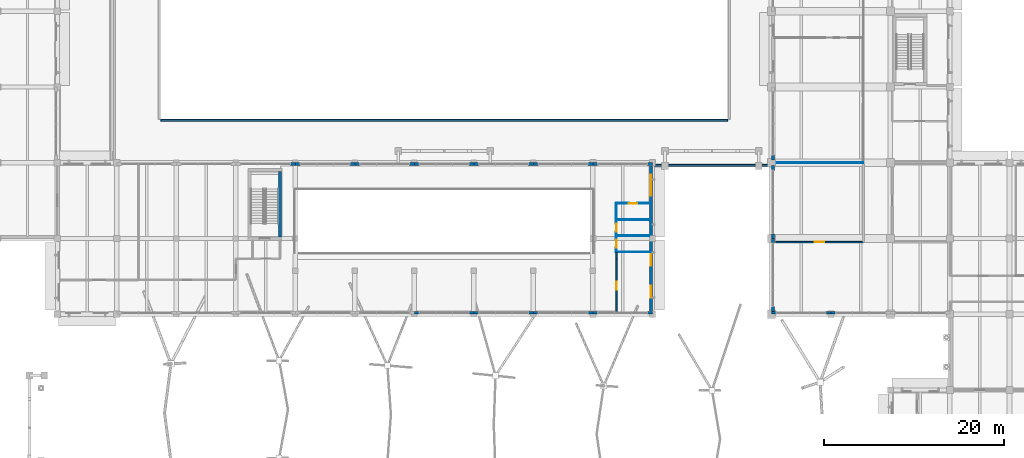
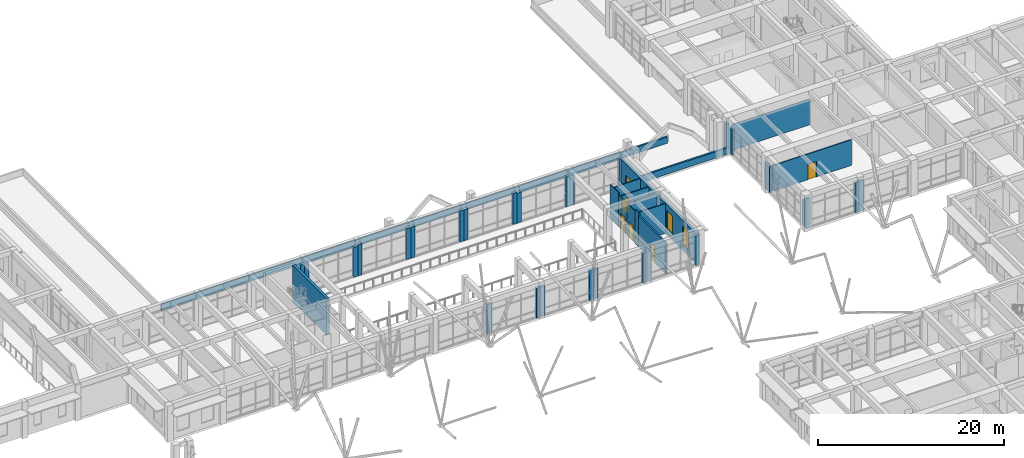
# One storey, part 49 of 75: 45 walls, 5 doors, 3 windows, 8 openings.
"""IFC4 building model written with IfcOpenShell, lengths in metres."""

from ifc_helpers import new_model, si_unit, direction, frame, frame_2d, origin, place, context, subcontext, project, spatial, rectangle, extrude, material, layer, layer_set, type_object, element, fill, save


model = new_model("IFC4")

# Units and contexts
model_context = context("Model", 3, precision=1e-05, world=origin(), true_north=direction((0.0, 1.0)))
body_context = subcontext(model_context, "Body", "Model", "MODEL_VIEW")
ifc_project = project(units=[si_unit("LENGTHUNIT", "METRE"), si_unit("AREAUNIT", "SQUARE_METRE"), si_unit("VOLUMEUNIT", "CUBIC_METRE"), si_unit("PLANEANGLEUNIT", "RADIAN"), si_unit("MASSUNIT", "GRAM", prefix="KILO")], contexts=[model_context])

# Site, building, storey
site_placement = place(None, origin())
site = spatial("IfcSite", under=ifc_project, at=site_placement, CompositionType="ELEMENT")
building_placement = place(site_placement, origin())
building = spatial("IfcBuilding", under=site, at=building_placement, Name="Kolvaren Faculty of Natural Sciences", CompositionType="ELEMENT")
storey_placement = place(building_placement, frame((0.0, 0.0, 5.39990234375)))
storey = spatial("IfcBuildingStorey", under=building, at=storey_placement, Name="L01", CompositionType="ELEMENT", Elevation=5.39990234375)

# Walls
ifc_material_1 = material(Name="Concrete C40/50", Category="concrete")
ifc_layer_1 = layer(ifc_material_1, 0.35009765625)
ifc_layer_set_1 = layer_set([ifc_layer_1], Name="Concrete C40/50")
wall_type_1 = type_object("IfcWallType", Name="CoreShearWall_350", PredefinedType="SHEAR", material=ifc_layer_set_1)
wall_1_placement = place(storey_placement, frame((64.5, 75.949951171875, 0.0), z_axis=(0.0, 0.0, 1.0), x_axis=(0.0, 1.0, 0.0)))
element("IfcWall", 1, at=wall_1_placement, inside=storey, type_object=wall_type_1, Name="L01 CORE-C6 stair shear wall E", PredefinedType="SHEAR", context=body_context, shape_type="SweptSolid", body=[
    extrude(rectangle(XDim=7.275146484375, YDim=0.35009765625, at=frame_2d((3.6376953125, 0.0))), origin(), (0.0, 0.0, 1.0), 4.800048828125),
])
ifc_material_2 = material(Name="Sandstone-faced insulated cavity masonry", Category="masonry")
ifc_layer_2 = layer(ifc_material_2, 0.320068359375)
ifc_layer_set_2 = layer_set([ifc_layer_2], Name="Sandstone-faced insulated cavity masonry")
wall_type_2 = type_object("IfcWallType", Name="ExteriorCavityWall_320", PredefinedType="STANDARD", material=ifc_layer_set_2)
for number, where, z_axis, x_axis, name in (
    (2, (126.1201171875, 67.56005859375, 0.0), (0.0, 0.0, 1.0), (-1.0, 0.0, 0.0), "L01 curtain-wall pier stub 190"),
    (3, (125.60009765625, 67.56005859375, 0.0), (0.0, 0.0, 1.0), (-1.0, 0.0, 0.0), "L01 curtain-wall pier stub 191"),
    (4, (119.52001953125, 67.56005859375, 0.0), (0.0, 0.0, 1.0), (-1.0, 0.0, 0.0), "L01 curtain-wall pier stub 192"),
):
    element("IfcWall", number, at=place(storey_placement, frame(where, z_axis=z_axis, x_axis=x_axis)), inside=storey, type_object=wall_type_2, Name=name, PredefinedType="STANDARD", context=body_context, shape_type="SweptSolid", body=[
        extrude(rectangle(XDim=0.52001953125, YDim=0.320068359375, at=frame_2d((0.260009765625, 0.0))), origin(), (0.0, 0.0, 1.0), 3.93505859375),
    ])
for number, where, z_axis, x_axis, name in (
    (5, (119.159912109375, 67.719970703125, 0.0), (0.0, 0.0, 1.0), (0.0, 1.0, 0.0), "L01 curtain-wall pier stub 193"),
    (6, (119.159912109375, 75.280029296875, 0.0), (0.0, 0.0, 1.0), (0.0, 1.0, 0.0), "L01 curtain-wall pier stub 194"),
    (7, (119.159912109375, 75.800048828125, 0.0), (0.0, 0.0, 1.0), (0.0, 1.0, 0.0), "L01 curtain-wall pier stub 195"),
):
    element("IfcWall", number, at=place(storey_placement, frame(where, z_axis=z_axis, x_axis=x_axis)), inside=storey, type_object=wall_type_2, Name=name, PredefinedType="STANDARD", context=body_context, shape_type="SweptSolid", body=[
        extrude(rectangle(XDim=0.52001953125, YDim=0.320068359375, at=frame_2d((0.260009765625, 0.0))), origin(), (0.0, 0.0, 1.0), 3.385009765625),
    ])
wall_2_placement = place(storey_placement, frame((119.159912109375, 83.360107421875, 0.0), z_axis=(0.0, 0.0, 1.0), x_axis=(0.0, 1.0, 0.0)))
element("IfcWall", 8, at=wall_2_placement, inside=storey, type_object=wall_type_2, Name="L01 curtain-wall pier stub 196", PredefinedType="STANDARD", context=body_context, shape_type="SweptSolid", body=[
    extrude(rectangle(XDim=0.519775390625, YDim=0.320068359375, at=frame_2d((0.259765625, 0.0))), origin(), (0.0, 0.0, 1.0), 3.385009765625),
])
wall_3_placement = place(storey_placement, frame((119.159912109375, 84.52001953125, 0.0), z_axis=(0.0, 0.0, 1.0), x_axis=(0.0, 1.0, 0.0)))
element("IfcWall", 9, at=wall_3_placement, inside=storey, type_object=wall_type_2, Name="L01 curtain-wall pier stub 197", PredefinedType="STANDARD", context=body_context, shape_type="SweptSolid", body=[
    extrude(rectangle(XDim=0.52001953125, YDim=0.320068359375, at=frame_2d((0.260009765625, 0.0))), origin(), (0.0, 0.0, 1.0), 3.385009765625),
])
for number, where, z_axis, x_axis, name in (
    (10, (65.679931640625, 84.0400390625, 0.0), (0.0, 0.0, 1.0), (1.0, 0.0, 0.0), "L01 curtain-wall pier stub 279"),
    (11, (66.199951171875, 84.0400390625, 0.0), (0.0, 0.0, 1.0), (1.0, 0.0, 0.0), "L01 curtain-wall pier stub 280"),
    (12, (72.280029296875, 84.0400390625, 0.0), (0.0, 0.0, 1.0), (1.0, 0.0, 0.0), "L01 curtain-wall pier stub 281"),
):
    element("IfcWall", number, at=place(storey_placement, frame(where, z_axis=z_axis, x_axis=x_axis)), inside=storey, type_object=wall_type_2, Name=name, PredefinedType="STANDARD", context=body_context, shape_type="SweptSolid", body=[
        extrude(rectangle(XDim=0.52001953125, YDim=0.320068359375, at=frame_2d((0.260009765625, 0.0))), origin(), (0.0, 0.0, 1.0), 3.93505859375),
    ])
for number, where, z_axis, x_axis, name in (
    (13, (72.800048828125, 84.0400390625, 0.0), (0.0, 0.0, 1.0), (1.0, 0.0, 0.0), "L01 curtain-wall pier stub 282"),
    (14, (78.8798828125, 84.0400390625, 0.0), (0.0, 0.0, 1.0), (1.0, 0.0, 0.0), "L01 curtain-wall pier stub 283"),
    (15, (79.39990234375, 84.0400390625, 0.0), (0.0, 0.0, 1.0), (1.0, 0.0, 0.0), "L01 curtain-wall pier stub 284"),
    (16, (85.47998046875, 84.0400390625, 0.0), (0.0, 0.0, 1.0), (1.0, 0.0, 0.0), "L01 curtain-wall pier stub 285"),
    (17, (86.0, 84.0400390625, 0.0), (0.0, 0.0, 1.0), (1.0, 0.0, 0.0), "L01 curtain-wall pier stub 286"),
    (18, (92.080078125, 84.0400390625, 0.0), (0.0, 0.0, 1.0), (1.0, 0.0, 0.0), "L01 curtain-wall pier stub 287"),
):
    element("IfcWall", number, at=place(storey_placement, frame(where, z_axis=z_axis, x_axis=x_axis)), inside=storey, type_object=wall_type_2, Name=name, PredefinedType="STANDARD", context=body_context, shape_type="SweptSolid", body=[
        extrude(rectangle(XDim=0.52001953125, YDim=0.320068359375, at=frame_2d((0.260009765625, 0.0))), origin(), (0.0, 0.0, 1.0), 4.085205078125),
    ])
for number, where, z_axis, x_axis, name in (
    (19, (92.60009765625, 84.0400390625, 0.0), (0.0, 0.0, 1.0), (1.0, 0.0, 0.0), "L01 curtain-wall pier stub 288"),
    (20, (98.679931640625, 84.0400390625, 0.0), (0.0, 0.0, 1.0), (1.0, 0.0, 0.0), "L01 curtain-wall pier stub 289"),
    (21, (99.199951171875, 84.0400390625, 0.0), (0.0, 0.0, 1.0), (1.0, 0.0, 0.0), "L01 curtain-wall pier stub 290"),
    (22, (105.280029296875, 84.0400390625, 0.0), (0.0, 0.0, 1.0), (1.0, 0.0, 0.0), "L01 curtain-wall pier stub 291"),
):
    element("IfcWall", number, at=place(storey_placement, frame(where, z_axis=z_axis, x_axis=x_axis)), inside=storey, type_object=wall_type_2, Name=name, PredefinedType="STANDARD", context=body_context, shape_type="SweptSolid", body=[
        extrude(rectangle(XDim=0.52001953125, YDim=0.320068359375, at=frame_2d((0.260009765625, 0.0))), origin(), (0.0, 0.0, 1.0), 3.93505859375),
    ])

# Wall, opening, window
wall_4_placement = place(storey_placement, frame((105.639892578125, 83.8798828125, 0.0), z_axis=(0.0, 0.0, 1.0), x_axis=(0.0, -1.0, 0.0)))
wall_4 = element("IfcWall", 23, at=wall_4_placement, inside=storey, type_object=wall_type_2, Name="L01 exterior masonry wall EW-320 (292)", PredefinedType="STANDARD", context=body_context, shape_type="SweptSolid", body=[
    extrude(rectangle(XDim=8.079833984375, YDim=0.320068359375, at=frame_2d((4.0400390625, 0.0))), origin(), (0.0, 0.0, 1.0), 3.93505859375),
])
opening_1_placement = place(wall_4_placement, frame((1.006591796875, 0.0, 0.89990234375)))
opening_1 = element("IfcOpeningElement", 24, at=opening_1_placement, cuts=wall_4, Name="Opening WIN-18", PredefinedType="OPENING", context=body_context, shape_type="SweptSolid", body=[
    extrude(rectangle(XDim=2.35009765625, YDim=1.5, at=frame_2d((1.175048828125, 0.75))), frame((0.0, 0.169921875, 0.0), z_axis=(0.0, -1.0, 0.0), x_axis=(1.0, 0.0, 0.0)), (0.0, 0.0, 1.0), 0.340087890625),
])
ifc_material_3 = material(Name="Double low-E solar control insulated glazing", Category="glass")
window_type_1 = type_object("IfcWindowType", Name="AluWindow_WIN18_2350x1500", PartitioningType="SINGLE_PANEL", PredefinedType="WINDOW", material=ifc_material_3)
window_1_placement = place(opening_1_placement, origin())
window_1 = element("IfcWindow", 25, at=window_1_placement, inside=storey, type_object=window_type_1, Name="WIN-L01-0240", OverallHeight=1.5, OverallWidth=2.35009765625, PartitioningType="SINGLE_PANEL", PredefinedType="WINDOW", context=body_context, shape_type="SweptSolid", body=[
    extrude(rectangle(XDim=2.35009765625, YDim=1.5, at=frame_2d((1.175048828125, 0.75))), frame((0.0, 0.030029296875, 0.0), z_axis=(0.0, -1.0, 0.0), x_axis=(1.0, 0.0, 0.0)), (0.0, 0.0, 1.0), 0.06005859375),
])
fill(opening_1, window_1)

# Wall, openings, windows
wall_5_placement = place(storey_placement, frame((105.639892578125, 75.800048828125, 0.0), z_axis=(0.0, 0.0, 1.0), x_axis=(0.0, -1.0, 0.0)))
wall_5 = element("IfcWall", 26, at=wall_5_placement, inside=storey, type_object=wall_type_2, Name="L01 exterior masonry wall EW-320 (293)", PredefinedType="STANDARD", context=body_context, shape_type="SweptSolid", body=[
    extrude(rectangle(XDim=8.080078125, YDim=0.320068359375, at=frame_2d((4.0400390625, 0.0))), origin(), (0.0, 0.0, 1.0), 3.93505859375),
])
opening_2_placement = place(wall_5_placement, frame((1.739990234375, 0.0, 0.75)))
opening_2 = element("IfcOpeningElement", 27, at=opening_2_placement, cuts=wall_5, Name="Opening WIN-19", PredefinedType="OPENING", context=body_context, shape_type="SweptSolid", body=[
    extrude(rectangle(XDim=1.300048828125, YDim=2.39990234375, at=frame_2d((0.64990234375, 1.199951171875))), frame((0.0, 0.169921875, 0.0), z_axis=(0.0, -1.0, 0.0), x_axis=(1.0, 0.0, 0.0)), (0.0, 0.0, 1.0), 0.340087890625),
])
opening_3_placement = place(wall_5_placement, frame((5.248291015625, 0.0, 0.75)))
opening_3 = element("IfcOpeningElement", 28, at=opening_3_placement, cuts=wall_5, Name="Opening WIN-19", PredefinedType="OPENING", context=body_context, shape_type="SweptSolid", body=[
    extrude(rectangle(XDim=1.300048828125, YDim=2.39990234375, at=frame_2d((0.64990234375, 1.199951171875))), frame((0.0, 0.169921875, 0.0), z_axis=(0.0, -1.0, 0.0), x_axis=(1.0, 0.0, 0.0)), (0.0, 0.0, 1.0), 0.340087890625),
])
window_type_2 = type_object("IfcWindowType", Name="AluWindow_WIN19_1300x2400", PartitioningType="SINGLE_PANEL", PredefinedType="WINDOW", material=ifc_material_3)
window_2_placement = place(opening_2_placement, origin())
window_2 = element("IfcWindow", 29, at=window_2_placement, inside=storey, type_object=window_type_2, Name="WIN-L01-0241", OverallHeight=2.39990234375, OverallWidth=1.300048828125, PartitioningType="SINGLE_PANEL", PredefinedType="WINDOW", context=body_context, shape_type="SweptSolid", body=[
    extrude(rectangle(XDim=1.300048828125, YDim=2.39990234375, at=frame_2d((0.64990234375, 1.199951171875))), frame((0.0, 0.030029296875, 0.0), z_axis=(0.0, -1.0, 0.0), x_axis=(1.0, 0.0, 0.0)), (0.0, 0.0, 1.0), 0.06005859375),
])
fill(opening_2, window_2)
window_3_placement = place(opening_3_placement, origin())
window_3 = element("IfcWindow", 30, at=window_3_placement, inside=storey, type_object=window_type_2, Name="WIN-L01-0242", OverallHeight=2.39990234375, OverallWidth=1.300048828125, PartitioningType="SINGLE_PANEL", PredefinedType="WINDOW", context=body_context, shape_type="SweptSolid", body=[
    extrude(rectangle(XDim=1.300048828125, YDim=2.39990234375, at=frame_2d((0.64990234375, 1.199951171875))), frame((0.0, 0.030029296875, 0.0), z_axis=(0.0, -1.0, 0.0), x_axis=(1.0, 0.0, 0.0)), (0.0, 0.0, 1.0), 0.06005859375),
])
fill(opening_3, window_3)

# Walls
for number, where, z_axis, x_axis, name in (
    (31, (105.800048828125, 67.56005859375, 0.0), (0.0, 0.0, 1.0), (-1.0, 0.0, 0.0), "L01 curtain-wall pier stub 294"),
    (32, (99.719970703125, 67.56005859375, 0.0), (0.0, 0.0, 1.0), (-1.0, 0.0, 0.0), "L01 curtain-wall pier stub 295"),
    (33, (99.199951171875, 67.56005859375, 0.0), (0.0, 0.0, 1.0), (-1.0, 0.0, 0.0), "L01 curtain-wall pier stub 296"),
    (34, (93.1201171875, 67.56005859375, 0.0), (0.0, 0.0, 1.0), (-1.0, 0.0, 0.0), "L01 curtain-wall pier stub 297"),
    (35, (92.60009765625, 67.56005859375, 0.0), (0.0, 0.0, 1.0), (-1.0, 0.0, 0.0), "L01 curtain-wall pier stub 298"),
    (36, (86.52001953125, 67.56005859375, 0.0), (0.0, 0.0, 1.0), (-1.0, 0.0, 0.0), "L01 curtain-wall pier stub 299"),
    (37, (86.0, 67.56005859375, 0.0), (0.0, 0.0, 1.0), (-1.0, 0.0, 0.0), "L01 curtain-wall pier stub 300"),
    (38, (79.919921875, 67.56005859375, 0.0), (0.0, 0.0, 1.0), (-1.0, 0.0, 0.0), "L01 curtain-wall pier stub 301"),
):
    element("IfcWall", number, at=place(storey_placement, frame(where, z_axis=z_axis, x_axis=x_axis)), inside=storey, type_object=wall_type_2, Name=name, PredefinedType="STANDARD", context=body_context, shape_type="SweptSolid", body=[
        extrude(rectangle(XDim=0.52001953125, YDim=0.320068359375, at=frame_2d((0.260009765625, 0.0))), origin(), (0.0, 0.0, 1.0), 3.93505859375),
    ])

# Wall, opening, door
ifc_material_4 = material(Name="Acoustic mineral-wool insulated gypsum partition")
ifc_layer_3 = layer(ifc_material_4, 0.18505859375)
ifc_layer_set_3 = layer_set([ifc_layer_3], Name="Acoustic mineral-wool insulated gypsum partition")
wall_type_3 = type_object("IfcWallType", Name="LabPartitionWall_185", PredefinedType="PARTITIONING", material=ifc_layer_set_3)
wall_6_placement = place(storey_placement, frame((129.199951171875, 75.39990234375, 0.0), z_axis=(0.0, 0.0, 1.0), x_axis=(-1.0, 0.0, 0.0)))
wall_6 = element("IfcWall", 39, at=wall_6_placement, inside=storey, type_object=wall_type_3, Name="L01 interior partition PW-185", PredefinedType="PARTITIONING", context=body_context, shape_type="SweptSolid", body=[
    extrude(rectangle(XDim=9.75, YDim=0.18505859375, at=frame_2d((4.875, 0.0))), origin(), (0.0, 0.0, 1.0), 3.385009765625),
])
opening_4_placement = place(wall_6_placement, frame((4.364990234375, 0.0, 0.0)))
opening_4 = element("IfcOpeningElement", 40, at=opening_4_placement, cuts=wall_6, Name="Opening ID-04", PredefinedType="OPENING", context=body_context, shape_type="SweptSolid", body=[
    extrude(rectangle(XDim=1.02001953125, YDim=2.02001953125, at=frame_2d((0.510009765625, 1.010009765625))), frame((0.0, 0.1025390625, 0.0), z_axis=(0.0, -1.0, 0.0), x_axis=(1.0, 0.0, 0.0)), (0.0, 0.0, 1.0), 0.205078125),
])
ifc_material_5 = material(Name="Solid-core hardwood veneer door leaf in steel frame", Category="steel")
door_type_1 = type_object("IfcDoorType", Name="InteriorRoomDoor_1020x2020", OperationType="NOTDEFINED", PredefinedType="DOOR", material=ifc_material_5)
door_1_placement = place(opening_4_placement, origin())
door_1 = element("IfcDoor", 41, at=door_1_placement, inside=storey, type_object=door_type_1, Name="D-L01-0130", OperationType="SINGLE_SWING_RIGHT", OverallHeight=2.02001953125, OverallWidth=1.02001953125, PredefinedType="DOOR", context=body_context, shape_type="SweptSolid", body=[
    extrude(rectangle(XDim=1.02001953125, YDim=2.02001953125, at=frame_2d((0.510009765625, 1.010009765625))), frame((0.0, 0.02490234375, 0.0), z_axis=(0.0, -1.0, 0.0), x_axis=(1.0, 0.0, 0.0)), (0.0, 0.0, 1.0), 0.050048828125),
])
fill(opening_4, door_1)

# Walls
ifc_material_6 = material(Name="Precast concrete C35/45", Category="concrete")
ifc_layer_4 = layer(ifc_material_6, 0.219970703125)
ifc_layer_set_4 = layer_set([ifc_layer_4], Name="Precast concrete C35/45")
wall_type_4 = type_object("IfcWallType", Name="ParapetUpstandWall_220", PredefinedType="PARAPET", material=ifc_layer_set_4)
wall_7_placement = place(storey_placement, frame((51.25, 88.89990234375, 0.0), z_axis=(0.0, 0.0, 1.0), x_axis=(1.0, 0.0, 0.0)))
element("IfcWall", 42, at=wall_7_placement, inside=storey, type_object=wall_type_4, Name="L01 Mughal colonnade roof parapet upstand 12", PredefinedType="PARAPET", context=body_context, shape_type="SweptSolid", body=[
    extrude(rectangle(XDim=62.89990234375, YDim=0.219970703125, at=frame_2d((31.449951171875, 0.0))), origin(), (0.0, 0.0, 1.0), 0.85009765625),
])
wall_8_placement = place(storey_placement, frame((118.820068359375, 83.89990234375, 0.0), z_axis=(0.0, 0.0, 1.0), x_axis=(-1.0, 0.0, 0.0)))
element("IfcWall", 43, at=wall_8_placement, inside=storey, type_object=wall_type_4, Name="L01 Mughal colonnade roof parapet upstand 16", PredefinedType="PARAPET", context=body_context, shape_type="SweptSolid", body=[
    extrude(rectangle(XDim=12.840087890625, YDim=0.219970703125, at=frame_2d((6.419921875, 0.0))), origin(), (0.0, 0.0, 1.0), 0.85009765625),
])

# Wall, opening, door
ifc_layer_5 = layer(ifc_material_4, 0.169921875)
ifc_layer_set_5 = layer_set([ifc_layer_5], Name="Acoustic mineral-wool insulated gypsum partition")
wall_type_5 = type_object("IfcWallType", Name="SeminarPartitionWall_170", PredefinedType="PARTITIONING", material=ifc_layer_set_5)
wall_9_placement = place(storey_placement, frame((101.800048828125, 67.60009765625, 0.0), z_axis=(0.0, 0.0, 1.0), x_axis=(0.0, 1.0, 0.0)))
wall_9 = element("IfcWall", 44, at=wall_9_placement, inside=storey, type_object=wall_type_5, Name="L01 interior partition PW-170", PredefinedType="PARTITIONING", context=body_context, shape_type="SweptSolid", body=[
    extrude(rectangle(XDim=5.949951171875, YDim=0.169921875, at=frame_2d((2.97509765625, 0.0))), origin(), (0.0, 0.0, 1.0), 4.085205078125),
])
opening_5_placement = place(wall_9_placement, frame((2.52490234375, 0.0, 0.0)))
opening_5 = element("IfcOpeningElement", 45, at=opening_5_placement, cuts=wall_9, Name="Opening ID-06", PredefinedType="OPENING", context=body_context, shape_type="SweptSolid", body=[
    extrude(rectangle(XDim=0.89990234375, YDim=2.06005859375, at=frame_2d((0.449951171875, 1.030029296875))), frame((0.0, 0.094970703125, 0.0), z_axis=(0.0, -1.0, 0.0), x_axis=(1.0, 0.0, 0.0)), (0.0, 0.0, 1.0), 0.18994140625),
])
door_type_2 = type_object("IfcDoorType", Name="InteriorRoomDoor_900x2060", OperationType="NOTDEFINED", PredefinedType="DOOR", material=ifc_material_5)
door_2_placement = place(opening_5_placement, origin())
door_2 = element("IfcDoor", 46, at=door_2_placement, inside=storey, type_object=door_type_2, Name="D-L01-0132", OperationType="SINGLE_SWING_RIGHT", OverallHeight=2.06005859375, OverallWidth=0.89990234375, PredefinedType="DOOR", context=body_context, shape_type="SweptSolid", body=[
    extrude(rectangle(XDim=0.89990234375, YDim=2.06005859375, at=frame_2d((0.449951171875, 1.030029296875))), frame((0.0, 0.02490234375, 0.0), z_axis=(0.0, -1.0, 0.0), x_axis=(1.0, 0.0, 0.0)), (0.0, 0.0, 1.0), 0.050048828125),
])
fill(opening_5, door_2)

# Walls
wall_10_placement = place(storey_placement, frame((101.800048828125, 73.550048828125, 0.0), z_axis=(0.0, 0.0, 1.0), x_axis=(0.0, 1.0, 0.0)))
element("IfcWall", 47, at=wall_10_placement, inside=storey, type_object=wall_type_5, Name="L01 interior partition PW-170", PredefinedType="PARTITIONING", context=body_context, shape_type="SweptSolid", body=[
    extrude(rectangle(XDim=0.697509765625, YDim=0.169921875, at=frame_2d((0.3486328125, 0.0))), origin(), (0.0, 0.0, 1.0), 4.445068359375),
])
ifc_layer_6 = layer(ifc_material_4, 0.10498046875)
ifc_layer_set_6 = layer_set([ifc_layer_6], Name="Acoustic mineral-wool insulated gypsum partition")
wall_type_6 = type_object("IfcWallType", Name="WetRoomPartition_105", PredefinedType="PARTITIONING", material=ifc_layer_set_6)
wall_11_placement = place(storey_placement, frame((101.800048828125, 76.10009765625, 0.0), z_axis=(0.0, 0.0, 1.0), x_axis=(1.0, 0.0, 0.0)))
element("IfcWall", 48, at=wall_11_placement, inside=storey, type_object=wall_type_6, Name="L01 interior partition PW-105", PredefinedType="PARTITIONING", context=body_context, shape_type="SweptSolid", body=[
    extrude(rectangle(XDim=3.64990234375, YDim=0.10498046875, at=frame_2d((1.824951171875, 0.0))), origin(), (0.0, 0.0, 1.0), 4.135009765625),
])
wall_12_placement = place(storey_placement, frame((105.47802734375, 74.300048828125, 0.0), z_axis=(0.0, 0.0, 1.0), x_axis=(-1.0, 0.0, 0.0)))
element("IfcWall", 49, at=wall_12_placement, inside=storey, type_object=wall_type_6, Name="L01 interior partition PW-105", PredefinedType="PARTITIONING", context=body_context, shape_type="SweptSolid", body=[
    extrude(rectangle(XDim=3.677978515625, YDim=0.10498046875, at=frame_2d((1.8388671875, 0.0))), origin(), (0.0, 0.0, 1.0), 3.93505859375),
])

# Wall, opening, door
wall_13_placement = place(storey_placement, frame((101.800048828125, 74.300048828125, 0.0), z_axis=(0.0, 0.0, 1.0), x_axis=(0.0, 1.0, 0.0)))
wall_13 = element("IfcWall", 50, at=wall_13_placement, inside=storey, type_object=wall_type_6, Name="L01 interior partition PW-105", PredefinedType="PARTITIONING", context=body_context, shape_type="SweptSolid", body=[
    extrude(rectangle(XDim=1.800048828125, YDim=0.10498046875, at=frame_2d((0.89990234375, 0.0))), origin(), (0.0, 0.0, 1.0), 4.135009765625),
])
opening_6_placement = place(wall_13_placement, frame((0.449951171875, 0.0, 0.0)))
opening_6 = element("IfcOpeningElement", 51, at=opening_6_placement, cuts=wall_13, Name="Opening ID-01", PredefinedType="OPENING", context=body_context, shape_type="SweptSolid", body=[
    extrude(rectangle(XDim=0.89990234375, YDim=2.02001953125, at=frame_2d((0.449951171875, 1.010009765625))), frame((0.0, 0.0625, 0.0), z_axis=(0.0, -1.0, 0.0), x_axis=(1.0, 0.0, 0.0)), (0.0, 0.0, 1.0), 0.125),
])
door_type_3 = type_object("IfcDoorType", Name="InteriorRoomDoor_900x2020", OperationType="NOTDEFINED", PredefinedType="DOOR", material=ifc_material_5)
door_3_placement = place(opening_6_placement, origin())
door_3 = element("IfcDoor", 52, at=door_3_placement, inside=storey, type_object=door_type_3, Name="D-L01-0114", OperationType="SINGLE_SWING_RIGHT", OverallHeight=2.02001953125, OverallWidth=0.89990234375, PredefinedType="DOOR", context=body_context, shape_type="SweptSolid", body=[
    extrude(rectangle(XDim=0.89990234375, YDim=2.02001953125, at=frame_2d((0.449951171875, 1.010009765625))), frame((0.0, 0.02490234375, 0.0), z_axis=(0.0, -1.0, 0.0), x_axis=(1.0, 0.0, 0.0)), (0.0, 0.0, 1.0), 0.050048828125),
])
fill(opening_6, door_3)

# Wall
wall_14_placement = place(storey_placement, frame((101.800048828125, 77.89990234375, 0.0), z_axis=(0.0, 0.0, 1.0), x_axis=(1.0, 0.0, 0.0)))
element("IfcWall", 53, at=wall_14_placement, inside=storey, type_object=wall_type_6, Name="L01 interior partition PW-105", PredefinedType="PARTITIONING", context=body_context, shape_type="SweptSolid", body=[
    extrude(rectangle(XDim=3.677978515625, YDim=0.10498046875, at=frame_2d((1.8388671875, 0.0))), origin(), (0.0, 0.0, 1.0), 3.93505859375),
])

# Wall, opening, door
wall_15_placement = place(storey_placement, frame((101.800048828125, 76.10009765625, 0.0), z_axis=(0.0, 0.0, 1.0), x_axis=(0.0, 1.0, 0.0)))
wall_15 = element("IfcWall", 54, at=wall_15_placement, inside=storey, type_object=wall_type_6, Name="L01 interior partition PW-105", PredefinedType="PARTITIONING", context=body_context, shape_type="SweptSolid", body=[
    extrude(rectangle(XDim=1.7998046875, YDim=0.10498046875, at=frame_2d((0.89990234375, 0.0))), origin(), (0.0, 0.0, 1.0), 4.135009765625),
])
opening_7_placement = place(wall_15_placement, frame((0.449951171875, 0.0, 0.0)))
opening_7 = element("IfcOpeningElement", 55, at=opening_7_placement, cuts=wall_15, Name="Opening ID-01", PredefinedType="OPENING", context=body_context, shape_type="SweptSolid", body=[
    extrude(rectangle(XDim=0.89990234375, YDim=2.02001953125, at=frame_2d((0.449951171875, 1.010009765625))), frame((0.0, 0.0625, 0.0), z_axis=(0.0, -1.0, 0.0), x_axis=(1.0, 0.0, 0.0)), (0.0, 0.0, 1.0), 0.125),
])
door_4_placement = place(opening_7_placement, origin())
door_4 = element("IfcDoor", 56, at=door_4_placement, inside=storey, type_object=door_type_3, Name="D-L01-0115", OperationType="SINGLE_SWING_LEFT", OverallHeight=2.02001953125, OverallWidth=0.89990234375, PredefinedType="DOOR", context=body_context, shape_type="SweptSolid", body=[
    extrude(rectangle(XDim=0.89990234375, YDim=2.02001953125, at=frame_2d((0.449951171875, 1.010009765625))), frame((0.0, 0.02490234375, 0.0), z_axis=(0.0, -1.0, 0.0), x_axis=(1.0, 0.0, 0.0)), (0.0, 0.0, 1.0), 0.050048828125),
])
fill(opening_7, door_4)

wall_16_placement = place(storey_placement, frame((101.800048828125, 79.699951171875, 0.0), z_axis=(0.0, 0.0, 1.0), x_axis=(1.0, 0.0, 0.0)))
wall_16 = element("IfcWall", 57, at=wall_16_placement, inside=storey, type_object=wall_type_6, Name="L01 interior partition PW-105", PredefinedType="PARTITIONING", context=body_context, shape_type="SweptSolid", body=[
    extrude(rectangle(XDim=3.677978515625, YDim=0.10498046875, at=frame_2d((1.8388671875, 0.0))), origin(), (0.0, 0.0, 1.0), 3.93505859375),
])
opening_8_placement = place(wall_16_placement, frame((1.388916015625, 0.0, 0.0)))
opening_8 = element("IfcOpeningElement", 58, at=opening_8_placement, cuts=wall_16, Name="Opening ID-01", PredefinedType="OPENING", context=body_context, shape_type="SweptSolid", body=[
    extrude(rectangle(XDim=0.89990234375, YDim=2.02001953125, at=frame_2d((0.449951171875, 1.010009765625))), frame((0.0, 0.0625, 0.0), z_axis=(0.0, -1.0, 0.0), x_axis=(1.0, 0.0, 0.0)), (0.0, 0.0, 1.0), 0.125),
])
door_5_placement = place(opening_8_placement, origin())
door_5 = element("IfcDoor", 59, at=door_5_placement, inside=storey, type_object=door_type_3, Name="D-L01-0116", OperationType="SINGLE_SWING_RIGHT", OverallHeight=2.02001953125, OverallWidth=0.89990234375, PredefinedType="DOOR", context=body_context, shape_type="SweptSolid", body=[
    extrude(rectangle(XDim=0.89990234375, YDim=2.02001953125, at=frame_2d((0.449951171875, 1.010009765625))), frame((0.0, 0.02490234375, 0.0), z_axis=(0.0, -1.0, 0.0), x_axis=(1.0, 0.0, 0.0)), (0.0, 0.0, 1.0), 0.050048828125),
])
fill(opening_8, door_5)

# Walls
wall_17_placement = place(storey_placement, frame((101.800048828125, 77.89990234375, 0.0), z_axis=(0.0, 0.0, 1.0), x_axis=(0.0, 1.0, 0.0)))
element("IfcWall", 60, at=wall_17_placement, inside=storey, type_object=wall_type_6, Name="L01 interior partition PW-105", PredefinedType="PARTITIONING", context=body_context, shape_type="SweptSolid", body=[
    extrude(rectangle(XDim=1.800048828125, YDim=0.10498046875, at=frame_2d((0.89990234375, 0.0))), origin(), (0.0, 0.0, 1.0), 4.445068359375),
])
wall_18_placement = place(storey_placement, frame((129.199951171875, 84.199951171875, 0.0), z_axis=(0.0, 0.0, 1.0), x_axis=(-1.0, 0.0, 0.0)))
element("IfcWall", 61, at=wall_18_placement, inside=storey, type_object=wall_type_6, Name="L01 interior partition PW-105", PredefinedType="PARTITIONING", context=body_context, shape_type="SweptSolid", body=[
    extrude(rectangle(XDim=9.75, YDim=0.10498046875, at=frame_2d((4.875, 0.0))), origin(), (0.0, 0.0, 1.0), 3.385009765625),
])

save(model, "model.ifc")
